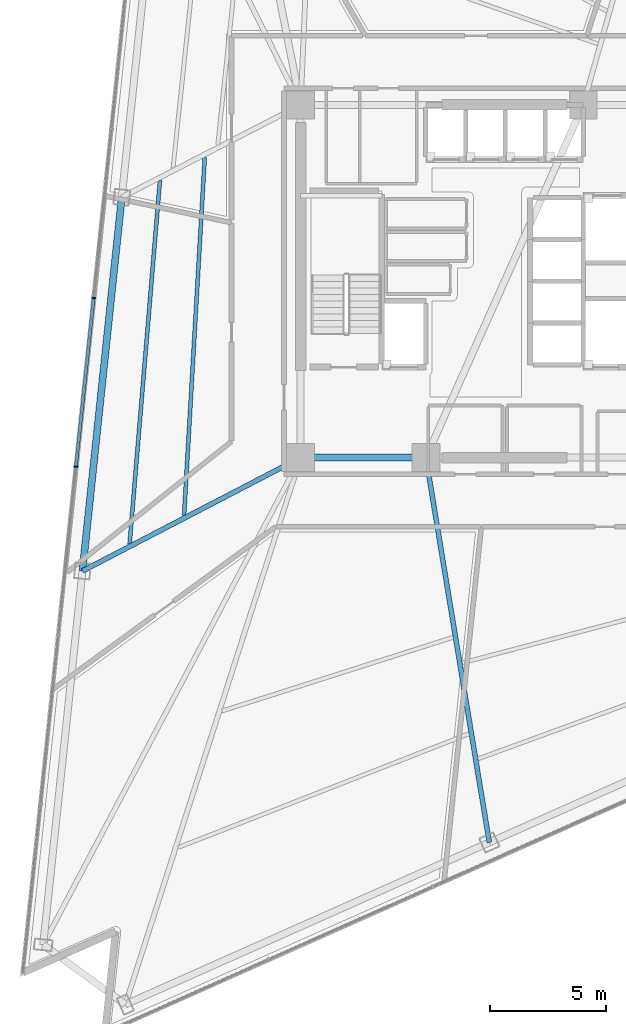
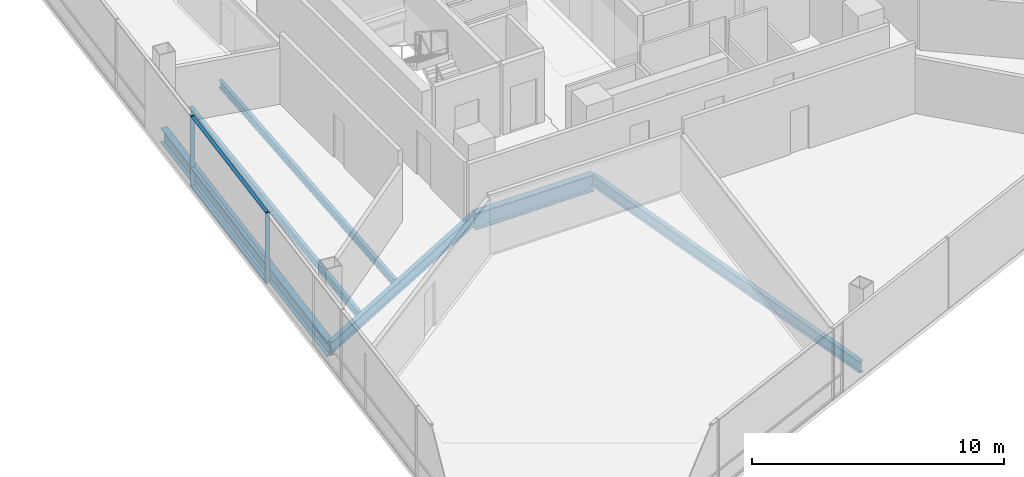
# One storey, part 4 of 19: 6 beams, 5 members, 1 element without a shape of its own.
"""IFC4 building model written with IfcOpenShell, lengths in metres."""

from ifc_helpers import new_model, si_unit, direction, frame, origin, origin_2d, place, context, subcontext, project, spatial, rectangle, i_section, extrude, material, layer, layer_set, material_profile, profile_set, type_object, element, aggregate, save


model = new_model("IFC4")

# Units and contexts
model_context = context("Model", 3, precision=1e-05, world=origin(), true_north=direction((0.0, 1.0)))
body_context = subcontext(model_context, "Body", "Model", "MODEL_VIEW")
ifc_project = project(units=[si_unit("LENGTHUNIT", "METRE"), si_unit("AREAUNIT", "SQUARE_METRE"), si_unit("VOLUMEUNIT", "CUBIC_METRE"), si_unit("PLANEANGLEUNIT", "RADIAN"), si_unit("MASSUNIT", "GRAM", prefix="KILO")], contexts=[model_context])

# Site, building, storey
site_placement = place(None, origin())
site = spatial("IfcSite", under=ifc_project, at=site_placement, CompositionType="ELEMENT")
building_placement = place(site_placement, origin())
building = spatial("IfcBuilding", under=site, at=building_placement, Name="Tharavind Bronze Gate", CompositionType="ELEMENT")
storey_placement = place(building_placement, frame((0.0, 0.0, 126.85009765625)))
storey = spatial("IfcBuildingStorey", under=building, at=storey_placement, Name="L32", CompositionType="ELEMENT", Elevation=126.85009765625)

# Curtain wall, members
ifc_material_1 = material(Name="Anodised Bronze Aluminium", Category="aluminium")
ifc_layer = layer(ifc_material_1, 0.219970703125)
ifc_layer_set = layer_set([ifc_layer], Name="Anodised Bronze Aluminium")
curtain_wall_type = type_object("IfcCurtainWallType", Name="UNITISED CURTAIN WALL LOWER OFFICE", PredefinedType="USERDEFINED", material=ifc_layer_set)
curtain_wall_placement = place(storey_placement, origin())
curtain_wall = element("IfcCurtainWall", 1, at=curtain_wall_placement, inside=storey, type_object=curtain_wall_type, Name="L32 unitised curtain wall lower office CW-L32-S1", ObjectType="UNITISED CURTAIN WALL", PredefinedType="USERDEFINED")
member_type_1 = type_object("IfcMemberType", Name="CURTAIN WALL BRONZE MULLION 65X180", PredefinedType="MULLION", material=ifc_material_1)
member_1_placement = place(storey_placement, frame((-17.82080078125, -0.71826171875, 0.0), z_axis=(0.0, 0.0, 1.0), x_axis=(-0.104526727499, -0.994522077803, 0.0)))
member_1 = element("IfcMember", 2, at=member_1_placement, type_object=member_type_1, Name="CW-L32-S1 mullion 4", PredefinedType="MULLION", context=body_context, shape_type="SweptSolid", body=[
    extrude(rectangle(XDim=0.06494140625, YDim=0.179931640625, at=origin_2d()), origin(), (0.0, 0.0, 1.0), 3.409912109375),
])
member_2_placement = place(storey_placement, frame((-18.58544921875, -7.991455078125, 0.0), z_axis=(0.0, 0.0, 1.0), x_axis=(-0.104526727499, -0.994522077803, 0.0)))
member_2 = element("IfcMember", 3, at=member_2_placement, type_object=member_type_1, Name="CW-L32-S1 mullion 5", PredefinedType="MULLION", context=body_context, shape_type="SweptSolid", body=[
    extrude(rectangle(XDim=0.06494140625, YDim=0.179931640625, at=origin_2d()), origin(), (0.0, 0.0, 1.0), 3.409912109375),
])
member_type_2 = type_object("IfcMemberType", Name="CURTAIN WALL BRONZE TRANSOM 65X140", PredefinedType="USERDEFINED", material=ifc_material_1)
member_3_placement = place(storey_placement, frame((-18.203125, -4.354736328125, 0.0), z_axis=(0.0, 0.0, 1.0), x_axis=(-0.104526727499, -0.994522077803, 0.0)))
member_3 = element("IfcMember", 4, at=member_3_placement, type_object=member_type_2, Name="CW-L32-S1 transom TB4", ObjectType="TRANSOM", PredefinedType="USERDEFINED", context=body_context, shape_type="SweptSolid", body=[
    extrude(rectangle(XDim=7.26025390625, YDim=0.139892578125, at=origin_2d()), origin(), (0.0, 0.0, 1.0), 0.06494140625),
])
member_4_placement = place(storey_placement, frame((-18.203125, -4.354736328125, 0.867431640625), z_axis=(0.0, 0.0, 1.0), x_axis=(-0.104526727499, -0.994522077803, 0.0)))
member_4 = element("IfcMember", 5, at=member_4_placement, type_object=member_type_2, Name="CW-L32-S1 transom TS4", ObjectType="TRANSOM", PredefinedType="USERDEFINED", context=body_context, shape_type="SweptSolid", body=[
    extrude(rectangle(XDim=7.26025390625, YDim=0.139892578125, at=origin_2d()), origin(), (0.0, 0.0, 1.0), 0.06494140625),
])
member_5_placement = place(storey_placement, frame((-18.203125, -4.354736328125, 3.344970703125), z_axis=(0.0, 0.0, 1.0), x_axis=(-0.104526727499, -0.994522077803, 0.0)))
member_5 = element("IfcMember", 6, at=member_5_placement, type_object=member_type_2, Name="CW-L32-S1 transom TT4", ObjectType="TRANSOM", PredefinedType="USERDEFINED", context=body_context, shape_type="SweptSolid", body=[
    extrude(rectangle(XDim=7.26025390625, YDim=0.139892578125, at=origin_2d()), origin(), (0.0, 0.0, 1.0), 0.06494140625),
])
aggregate(curtain_wall, [member_1, member_2, member_3, member_4, member_5])

# Beams
ifc_material_2 = material(Name="Steel S355", Category="steel")
ifc_material_profile_1 = material_profile(ifc_material_2, i_section(OverallWidth=0.2099609375, OverallDepth=0.550048828125, WebThickness=0.010986328125, FlangeThickness=0.01708984375, at=origin_2d()), Name="IPE550")
ifc_profile_set_1 = profile_set([ifc_material_profile_1], Name="Steel S355")
beam_type_1 = type_object("IfcBeamType", Name="PRIMARY GIRDER IPE550", PredefinedType="USERDEFINED", material=ifc_profile_set_1)
beam_1_placement = place(storey_placement, frame((-18.303955078125, -12.488037109375, -0.465087890625), z_axis=(0.887300514785, 0.46119171335, 0.0), x_axis=(-0.46119171335, 0.887300514785, 0.0)))
element("IfcBeam", 7, at=beam_1_placement, inside=storey, type_object=beam_type_1, Name="L32 primary girder ipe550 BM-L32-RAD03", ObjectType="GIRDER", PredefinedType="USERDEFINED", context=body_context, shape_type="SweptSolid", body=[
    extrude(i_section(OverallWidth=0.2099609375, OverallDepth=0.550048828125, WebThickness=0.010986328125, FlangeThickness=0.01708984375, at=origin_2d()), origin(), (0.0, 0.0, 1.0), 10.598388671875),
])
beam_2_placement = place(storey_placement, frame((-0.766357421875, -24.18798828125, -0.465087890625), z_axis=(-0.162604251404, 0.986691368882, 0.0), x_axis=(-0.986691368882, -0.162604251404, 0.0)))
element("IfcBeam", 8, at=beam_2_placement, inside=storey, type_object=beam_type_1, Name="L32 primary girder ipe550 BM-L32-RAD06", ObjectType="GIRDER", PredefinedType="USERDEFINED", context=body_context, shape_type="SweptSolid", body=[
    extrude(i_section(OverallWidth=0.2099609375, OverallDepth=0.550048828125, WebThickness=0.010986328125, FlangeThickness=0.01708984375, at=origin_2d()), origin(), (0.0, 0.0, 1.0), 16.8115234375),
])
ifc_material_profile_2 = material_profile(ifc_material_2, i_section(OverallWidth=0.300048828125, OverallDepth=0.699951171875, WebThickness=0.01708984375, FlangeThickness=0.031982421875, at=origin_2d()), Name="HE700B")
ifc_profile_set_2 = profile_set([ifc_material_profile_2], Name="Steel S355")
beam_type_2 = type_object("IfcBeamType", Name="RING GIRDER HE700B", PredefinedType="USERDEFINED", material=ifc_profile_set_2)
beam_3_placement = place(storey_placement, frame((-16.610595703125, 3.62158203125, -0.5400390625), z_axis=(-0.104538854147, -0.994520803188, 0.0), x_axis=(0.994520803188, -0.104538854147, 0.0)))
element("IfcBeam", 9, at=beam_3_placement, inside=storey, type_object=beam_type_2, Name="L32 ring girder he700b BM-L32-PRG02", ObjectType="GIRDER", PredefinedType="USERDEFINED", context=body_context, shape_type="SweptSolid", body=[
    extrude(i_section(OverallWidth=0.300048828125, OverallDepth=0.699951171875, WebThickness=0.01708984375, FlangeThickness=0.031982421875, at=origin_2d()), origin(), (0.0, 0.0, 1.0), 16.198486328125),
])
ifc_material_profile_3 = material_profile(ifc_material_2, i_section(OverallWidth=0.300048828125, OverallDepth=0.800048828125, WebThickness=0.017578125, FlangeThickness=0.032958984375, at=origin_2d()), Name="HE800B")
ifc_profile_set_3 = profile_set([ifc_material_profile_3], Name="Steel S355")
beam_type_3 = type_object("IfcBeamType", Name="RING GIRDER HE800B", PredefinedType="USERDEFINED", material=ifc_profile_set_3)
beam_4_placement = place(storey_placement, frame((-8.89990234375, -7.60009765625, -0.590087890625), z_axis=(1.0, 0.0, 0.0), x_axis=(0.0, 1.0, 0.0)))
element("IfcBeam", 10, at=beam_4_placement, inside=storey, type_object=beam_type_3, Name="L32 ring girder he800b BM-L32-CR1", ObjectType="GIRDER", PredefinedType="USERDEFINED", context=body_context, shape_type="SweptSolid", body=[
    extrude(i_section(OverallWidth=0.300048828125, OverallDepth=0.800048828125, WebThickness=0.017578125, FlangeThickness=0.032958984375, at=origin_2d()), origin(), (0.0, 0.0, 1.0), 5.39990234375),
])
ifc_material_profile_4 = material_profile(ifc_material_2, i_section(OverallWidth=0.169921875, OverallDepth=0.360107421875, WebThickness=0.008056640625, FlangeThickness=0.0126953125, at=origin_2d()), Name="IPE360")
ifc_profile_set_4 = profile_set([ifc_material_profile_4], Name="Steel S355")
beam_type_4 = type_object("IfcBeamType", Name="SECONDARY FLOOR JOIST IPE360", PredefinedType="JOIST", material=ifc_profile_set_4)
beam_5_placement = place(storey_placement, frame((-13.032470703125, 5.345703125, -0.3701171875), z_axis=(-0.057653739609, -0.998336639771, 0.0), x_axis=(0.998336639771, -0.057653739609, 0.0)))
element("IfcBeam", 11, at=beam_5_placement, inside=storey, type_object=beam_type_4, Name="L32 secondary floor joist ipe360 BM-L32-JSTA02", PredefinedType="JOIST", context=body_context, shape_type="SweptSolid", body=[
    extrude(i_section(OverallWidth=0.169921875, OverallDepth=0.360107421875, WebThickness=0.008056640625, FlangeThickness=0.0126953125, at=origin_2d()), origin(), (0.0, 0.0, 1.0), 15.46044921875),
])
beam_6_placement = place(storey_placement, frame((-14.96337890625, 4.349609375, -0.3701171875), z_axis=(-0.083246063349, -0.996529022626, 0.0), x_axis=(0.996529022626, -0.083246063349, 0.0)))
element("IfcBeam", 12, at=beam_6_placement, inside=storey, type_object=beam_type_4, Name="L32 secondary floor joist ipe360 BM-L32-JSTB02", PredefinedType="JOIST", context=body_context, shape_type="SweptSolid", body=[
    extrude(i_section(OverallWidth=0.169921875, OverallDepth=0.360107421875, WebThickness=0.008056640625, FlangeThickness=0.0126953125, at=origin_2d()), origin(), (0.0, 0.0, 1.0), 15.713623046875),
])

save(model, "model.ifc")
